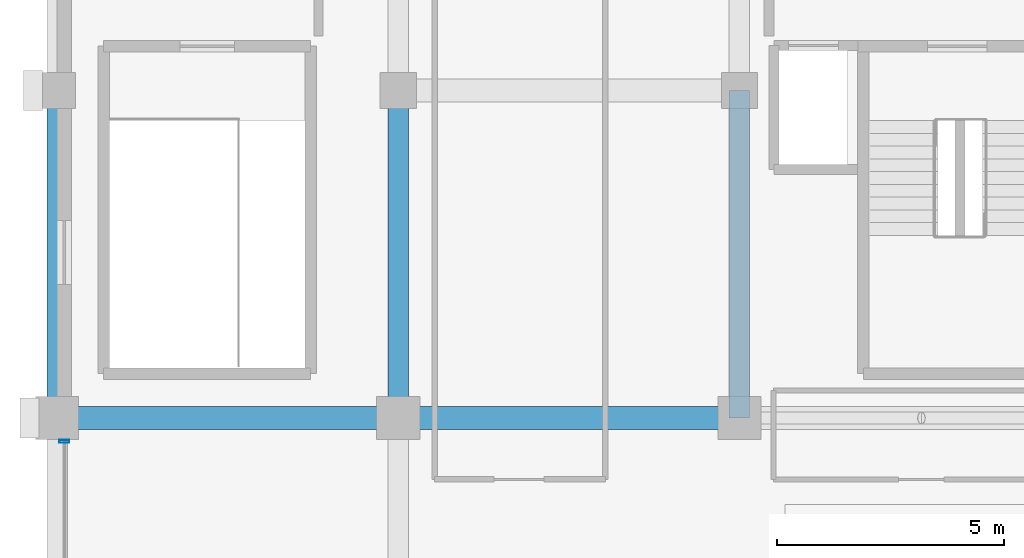
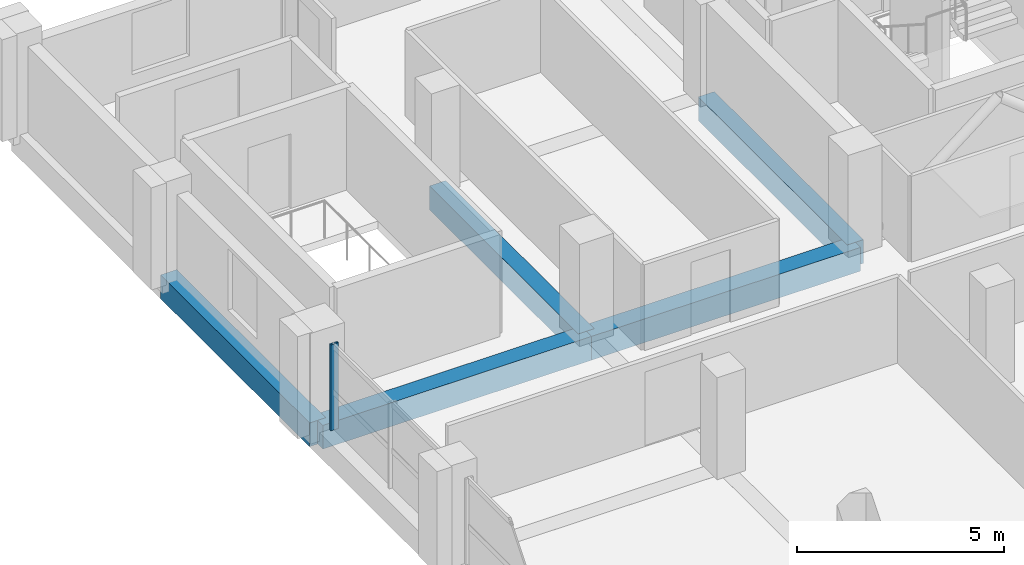
# One storey, part 8 of 21: 5 beams, 1 member, 1 element without a shape of its own.
"""IFC4 building model written with IfcOpenShell, lengths in metres."""

from ifc_helpers import new_model, si_unit, direction, frame, origin, origin_2d, place, context, subcontext, project, spatial, rectangle, hollow_rectangle, extrude, material, material_profile, profile_set, type_object, element, aggregate, save


model = new_model("IFC4")

# Units and contexts
model_context = context("Model", 3, precision=1e-05, world=origin(), true_north=direction((0.0, 1.0)))
body_context = subcontext(model_context, "Body", "Model", "MODEL_VIEW")
ifc_project = project(units=[si_unit("LENGTHUNIT", "METRE"), si_unit("AREAUNIT", "SQUARE_METRE"), si_unit("VOLUMEUNIT", "CUBIC_METRE"), si_unit("PLANEANGLEUNIT", "RADIAN"), si_unit("MASSUNIT", "GRAM", prefix="KILO")], contexts=[model_context])

# Site, building, storey
site_placement = place(None, origin())
site = spatial("IfcSite", under=ifc_project, at=site_placement, CompositionType="ELEMENT")
building_placement = place(site_placement, origin())
building = spatial("IfcBuilding", under=site, at=building_placement, Name="Akrevak Sports Hall", CompositionType="ELEMENT")
storey_placement = place(building_placement, frame((0.0, 0.0, 37.300048828125)))
storey = spatial("IfcBuildingStorey", under=building, at=storey_placement, Name="L08", CompositionType="ELEMENT", Elevation=37.300048828125)

# Curtain wall, member
ifc_material_1 = material(Name="Anodized Bronze Aluminium & Low-E Glass", Category="aluminium")
curtain_wall_type = type_object("IfcCurtainWallType", Name="ARC-CW-TWR-72x30", PredefinedType="NOTDEFINED", material=ifc_material_1)
curtain_wall_placement = place(storey_placement, origin())
curtain_wall = element("IfcCurtainWall", 1, at=curtain_wall_placement, inside=storey, type_object=curtain_wall_type, Name="Curtain Wall CW-L08-W30", PredefinedType="NOTDEFINED")
ifc_material_2 = material(Name="Anodized Bronze Aluminium", Category="aluminium")
ifc_material_profile_1 = material_profile(ifc_material_2, hollow_rectangle(XDim=0.06494140625, YDim=0.219970703125, WallThickness=0.00439453125, at=origin_2d()), Name="CWM 65x220", Category="aluminium")
ifc_profile_set_1 = profile_set([ifc_material_profile_1], Name="Anodized Bronze Aluminium")
member_type = type_object("IfcMemberType", Name="ARC-CWM-70x160", PredefinedType="MULLION", material=ifc_profile_set_1)
member_placement = place(storey_placement, frame((45.159912109375, 54.68505859375, 0.0), z_axis=(0.0, 0.0, 1.0), x_axis=(0.0, -1.0, 0.0)))
member = element("IfcMember", 2, at=member_placement, type_object=member_type, Name="Curtain Wall Mullion CW-L08-W30-M1", PredefinedType="MULLION", context=body_context, shape_type="SweptSolid", body=[
    extrude(hollow_rectangle(XDim=0.06494140625, YDim=0.219970703125, WallThickness=0.00439453125, at=origin_2d()), origin(), (0.0, 0.0, 1.0), 2.530029296875),
])
aggregate(curtain_wall, [member])

# Beams
ifc_material_3 = material(Name="Concrete C40/50", Category="concrete")
ifc_material_profile_2 = material_profile(ifc_material_3, rectangle(XDim=0.449951171875, YDim=0.699951171875, at=origin_2d()), Name="BM 450x700", Category="concrete")
ifc_profile_set_2 = profile_set([ifc_material_profile_2], Name="Concrete C40/50")
beam_type_1 = type_object("IfcBeamType", Name="STR-BM-RC450x700", PredefinedType="BEAM", material=ifc_profile_set_2)
for number, where, z_axis, x_axis, name in (
    (3, (45.0, 55.199951171875, -0.35009765625), (0.0, 1.0, 0.0), (-1.0, 0.0, 0.0), "Girder 7/I-J (L08)"),
    (4, (52.5, 55.199951171875, -0.35009765625), (0.0, 1.0, 0.0), (-1.0, 0.0, 0.0), "Girder 8/I-J (L08)"),
    (5, (60.0, 55.199951171875, -0.35009765625), (0.0, 1.0, 0.0), (-1.0, 0.0, 0.0), "Girder 9/I-J (L08)"),
):
    element("IfcBeam", number, at=place(storey_placement, frame(where, z_axis=z_axis, x_axis=x_axis)), inside=storey, type_object=beam_type_1, Name=name, PredefinedType="BEAM", context=body_context, shape_type="SweptSolid", body=[
        extrude(rectangle(XDim=0.449951171875, YDim=0.699951171875, at=origin_2d()), origin(), (0.0, 0.0, 1.0), 7.199951171875),
    ])
ifc_material_profile_3 = material_profile(ifc_material_3, rectangle(XDim=0.5, YDim=0.699951171875, at=origin_2d()), Name="BM 500x700", Category="concrete")
ifc_profile_set_3 = profile_set([ifc_material_profile_3], Name="Concrete C40/50")
beam_type_2 = type_object("IfcBeamType", Name="STR-BM-RC500x700", PredefinedType="BEAM", material=ifc_profile_set_3)
for number, where, z_axis, x_axis, name in (
    (6, (45.0, 55.199951171875, -0.35009765625), (1.0, 0.0, 0.0), (0.0, 1.0, 0.0), "Girder I/7-8 (L08)"),
    (7, (52.5, 55.199951171875, -0.35009765625), (1.0, 0.0, 0.0), (0.0, 1.0, 0.0), "Girder I/8-9 (L08)"),
):
    element("IfcBeam", number, at=place(storey_placement, frame(where, z_axis=z_axis, x_axis=x_axis)), inside=storey, type_object=beam_type_2, Name=name, PredefinedType="BEAM", context=body_context, shape_type="SweptSolid", body=[
        extrude(rectangle(XDim=0.5, YDim=0.699951171875, at=origin_2d()), origin(), (0.0, 0.0, 1.0), 7.5),
    ])

save(model, "model.ifc")
